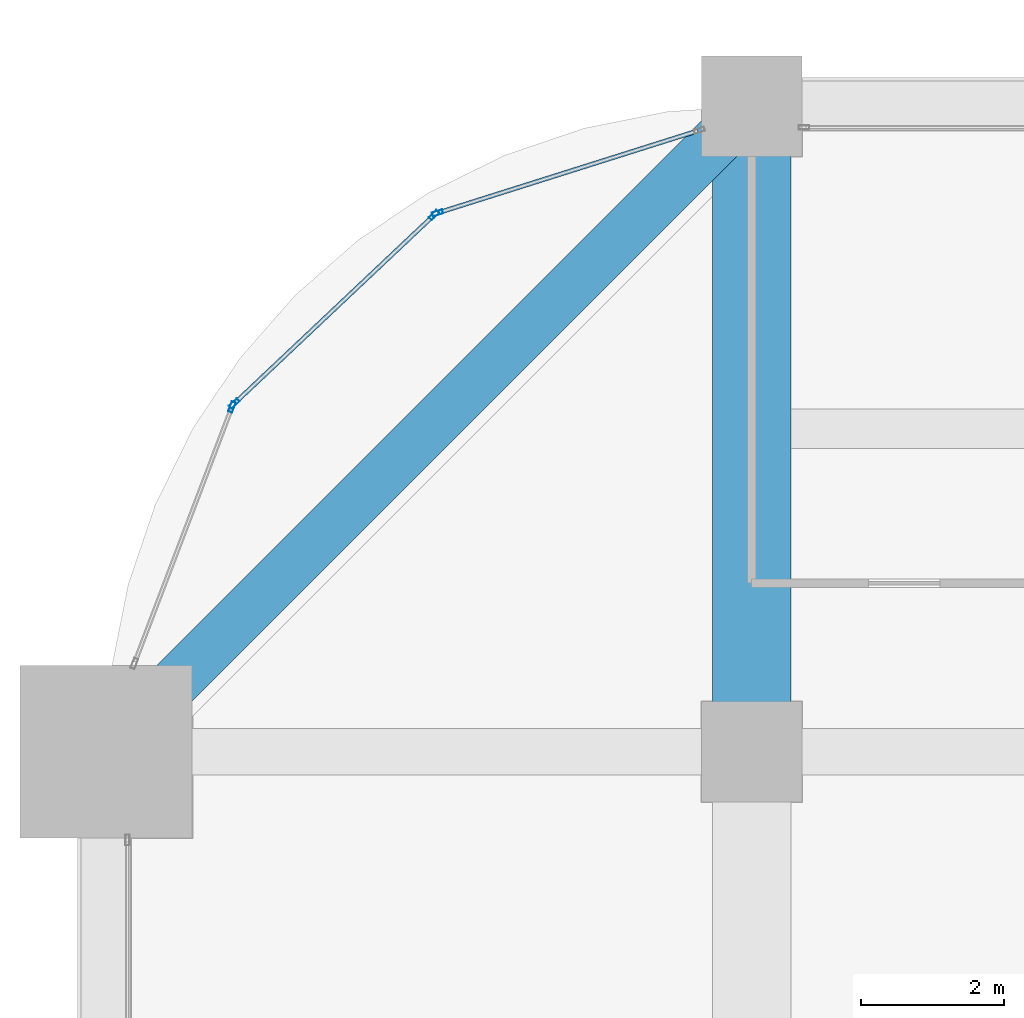
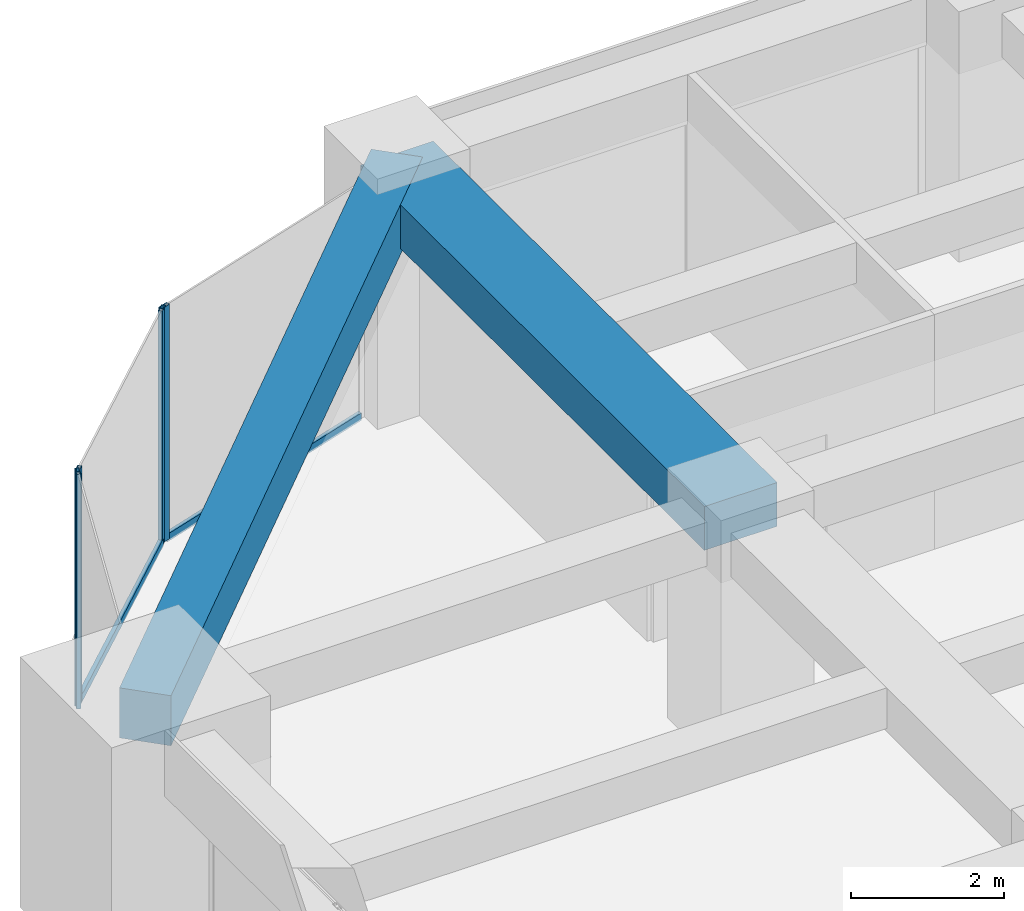
# One storey, part 22 of 32: 6 members, 2 beams, 3 elements without a shape of their own.
"""IFC4 building model written with IfcOpenShell, lengths in metres."""

from ifc_helpers import new_model, si_unit, direction, frame, origin, origin_2d, place, context, subcontext, project, spatial, rectangle, hollow_rectangle, extrude, material, material_profile, profile_set, type_object, element, aggregate, save


model = new_model("IFC4")

# Units and contexts
model_context = context("Model", 3, precision=1e-05, world=origin(), true_north=direction((0.0, 1.0)))
body_context = subcontext(model_context, "Body", "Model", "MODEL_VIEW")
ifc_project = project(units=[si_unit("LENGTHUNIT", "METRE"), si_unit("AREAUNIT", "SQUARE_METRE"), si_unit("VOLUMEUNIT", "CUBIC_METRE"), si_unit("PLANEANGLEUNIT", "RADIAN"), si_unit("MASSUNIT", "GRAM", prefix="KILO")], contexts=[model_context])

# Site, building, storey
site_placement = place(None, origin())
site = spatial("IfcSite", under=ifc_project, at=site_placement, CompositionType="ELEMENT")
building_placement = place(site_placement, origin())
building = spatial("IfcBuilding", under=site, at=building_placement, Name="Zorevar Civic Tower", CompositionType="ELEMENT")
storey_placement = place(building_placement, frame((0.0, 0.0, 202.199951171875)))
storey = spatial("IfcBuildingStorey", under=building, at=storey_placement, Name="L49", CompositionType="ELEMENT", Elevation=202.199951171875)

# Beam
ifc_material_1 = material(Name="Concrete C50/60", Category="concrete")
ifc_material_profile_1 = material_profile(ifc_material_1, rectangle(XDim=1.10009765625, YDim=0.699951171875, at=origin_2d()), Name="RC 1100x700")
ifc_profile_set_1 = profile_set([ifc_material_profile_1], Name="Concrete C50/60")
beam_type_1 = type_object("IfcBeamType", Name="Beam RC 1100x700", PredefinedType="BEAM", material=ifc_profile_set_1)
beam_1_placement = place(storey_placement, frame((9.0, 36.0, 3.400146484375), z_axis=(0.0, 1.0, 0.0), x_axis=(-1.0, 0.0, 0.0)))
element("IfcBeam", 1, at=beam_1_placement, inside=storey, type_object=beam_type_1, Name="Girder L50", PredefinedType="BEAM", context=body_context, shape_type="SweptSolid", body=[
    extrude(rectangle(XDim=1.10009765625, YDim=0.699951171875, at=origin_2d()), origin(), (0.0, 0.0, 1.0), 9.0),
])

# Curtain wall, member
ifc_material_2 = material(Name="Dark grey solar-control glass in black aluminium frame", Category="aluminium")
curtain_wall_type = type_object("IfcCurtainWallType", Name="Curtain wall CW4 high zone", PredefinedType="NOTDEFINED", material=ifc_material_2)
curtain_wall_1_placement = place(storey_placement, origin())
curtain_wall_1 = element("IfcCurtainWall", 2, at=curtain_wall_1_placement, inside=storey, type_object=curtain_wall_type, Name="CW4 L49", PredefinedType="NOTDEFINED")
ifc_material_3 = material(Name="Aluminium, black anodised", Category="aluminium")
ifc_material_profile_2 = material_profile(ifc_material_3, hollow_rectangle(XDim=0.06005859375, YDim=0.14990234375, WallThickness=0.00390625, at=origin_2d()), Name="AL 150x60x4")
ifc_profile_set_2 = profile_set([ifc_material_profile_2], Name="Aluminium, black anodised")
member_type_1 = type_object("IfcMemberType", Name="CW4 mullion AL 150x60x4", PredefinedType="MULLION", material=ifc_profile_set_2)
member_1_placement = place(storey_placement, frame((4.62158203125, 43.51025390625, 0.0), z_axis=(0.0, 0.0, 1.0), x_axis=(0.301108296077, -0.953589950678, 0.0)))
member_1 = element("IfcMember", 3, at=member_1_placement, type_object=member_type_1, Name="CW4 mullion 2", PredefinedType="MULLION", context=body_context, shape_type="SweptSolid", body=[
    extrude(hollow_rectangle(XDim=0.06005859375, YDim=0.14990234375, WallThickness=0.00390625, at=origin_2d()), origin(), (0.0, 0.0, 1.0), 3.75),
])

# Curtain wall, members
curtain_wall_2_placement = place(storey_placement, origin())
curtain_wall_2 = element("IfcCurtainWall", 4, at=curtain_wall_2_placement, inside=storey, type_object=curtain_wall_type, Name="CW4 L49", PredefinedType="NOTDEFINED")
member_2_placement = place(storey_placement, frame((4.5712890625, 43.480712890625, 0.0), z_axis=(0.0, 0.0, 1.0), x_axis=(0.686377907265, -0.727245053898, 0.0)))
member_2 = element("IfcMember", 5, at=member_2_placement, type_object=member_type_1, Name="CW4 mullion 1", PredefinedType="MULLION", context=body_context, shape_type="SweptSolid", body=[
    extrude(hollow_rectangle(XDim=0.06005859375, YDim=0.14990234375, WallThickness=0.00390625, at=origin_2d()), origin(), (0.0, 0.0, 1.0), 3.75),
])
member_3_placement = place(storey_placement, frame((1.787841796875, 40.853759765625, 0.0), z_axis=(0.0, 0.0, 1.0), x_axis=(0.686377907265, -0.727245053898, 0.0)))
member_3 = element("IfcMember", 6, at=member_3_placement, type_object=member_type_1, Name="CW4 mullion 2", PredefinedType="MULLION", context=body_context, shape_type="SweptSolid", body=[
    extrude(hollow_rectangle(XDim=0.06005859375, YDim=0.14990234375, WallThickness=0.00390625, at=origin_2d()), origin(), (0.0, 0.0, 1.0), 3.75),
])

# Curtain wall, member
curtain_wall_3_placement = place(storey_placement, origin())
curtain_wall_3 = element("IfcCurtainWall", 7, at=curtain_wall_3_placement, inside=storey, type_object=curtain_wall_type, Name="CW4 L49", PredefinedType="NOTDEFINED")
member_4_placement = place(storey_placement, frame((1.75537109375, 40.804931640625, 0.0), z_axis=(0.0, 0.0, 1.0), x_axis=(0.93458842801, -0.355730895803, 0.0)))
member_4 = element("IfcMember", 8, at=member_4_placement, type_object=member_type_1, Name="CW4 mullion 1", PredefinedType="MULLION", context=body_context, shape_type="SweptSolid", body=[
    extrude(hollow_rectangle(XDim=0.06005859375, YDim=0.14990234375, WallThickness=0.00390625, at=origin_2d()), origin(), (0.0, 0.0, 1.0), 3.75),
])
aggregate(curtain_wall_3, [member_4])

# Member
ifc_material_4 = material(Name="Aluminium, black anodised", Category="aluminium")
ifc_material_profile_3 = material_profile(ifc_material_4, hollow_rectangle(XDim=0.06005859375, YDim=0.1201171875, WallThickness=0.0029296875, at=origin_2d()), Name="AL 120x60x3")
ifc_profile_set_3 = profile_set([ifc_material_profile_3], Name="Aluminium, black anodised")
member_type_2 = type_object("IfcMemberType", Name="CW4 transom AL 120x60x3", PredefinedType="USERDEFINED", material=ifc_profile_set_3)
member_5_placement = place(storey_placement, frame((8.24267578125, 44.653564453125, 0.030029296875), z_axis=(-0.953592459367, -0.301100351109, 0.0), x_axis=(0.301100351109, -0.953592459367, 0.0)))
member_5 = element("IfcMember", 9, at=member_5_placement, type_object=member_type_2, Name="CW4 sill transom", ObjectType="TRANSOM", PredefinedType="USERDEFINED", context=body_context, shape_type="SweptSolid", body=[
    extrude(hollow_rectangle(XDim=0.06005859375, YDim=0.1201171875, WallThickness=0.0029296875, at=origin_2d()), origin(), (0.0, 0.0, 1.0), 3.76708984375),
])

aggregate(curtain_wall_1, [member_1, member_5])

member_6_placement = place(storey_placement, frame((4.549560546875, 43.4599609375, 0.030029296875), z_axis=(-0.727288059227, -0.686332338526, 0.0), x_axis=(0.686332338526, -0.727288059227, 0.0)))
member_6 = element("IfcMember", 10, at=member_6_placement, type_object=member_type_2, Name="CW4 sill transom", ObjectType="TRANSOM", PredefinedType="USERDEFINED", context=body_context, shape_type="SweptSolid", body=[
    extrude(hollow_rectangle(XDim=0.06005859375, YDim=0.1201171875, WallThickness=0.0029296875, at=origin_2d()), origin(), (0.0, 0.0, 1.0), 3.767333984375),
])

aggregate(curtain_wall_2, [member_2, member_3, member_6])

# Beam
ifc_material_5 = material(Name="Concrete C50/60", Category="concrete")
ifc_material_profile_4 = material_profile(ifc_material_5, rectangle(XDim=0.699951171875, YDim=0.800048828125, at=origin_2d()), Name="RC 700x800")
ifc_profile_set_4 = profile_set([ifc_material_profile_4], Name="Concrete C50/60")
beam_type_2 = type_object("IfcBeamType", Name="Edge beam RC 700x800", PredefinedType="SPANDREL", material=ifc_profile_set_4)
beam_2_placement = place(storey_placement, frame((9.0, 45.0, 3.35009765625), z_axis=(-0.707106781187, -0.707106781187, 0.0), x_axis=(0.707106781187, -0.707106781187, 0.0)))
element("IfcBeam", 11, at=beam_2_placement, inside=storey, type_object=beam_type_2, Name="Corner edge beam L50", PredefinedType="SPANDREL", context=body_context, shape_type="SweptSolid", body=[
    extrude(rectangle(XDim=0.699951171875, YDim=0.800048828125, at=origin_2d()), origin(), (0.0, 0.0, 1.0), 12.72802734375),
])

save(model, "model.ifc")
